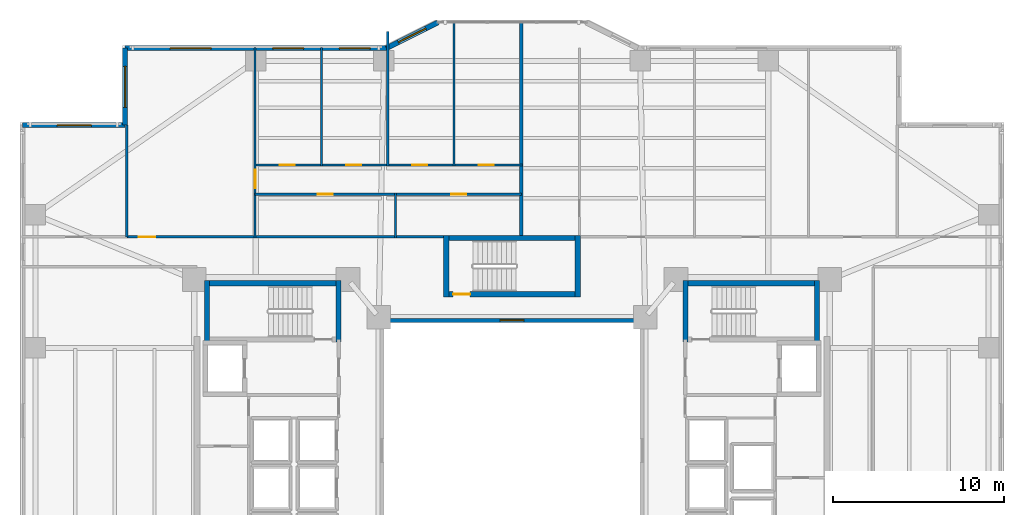
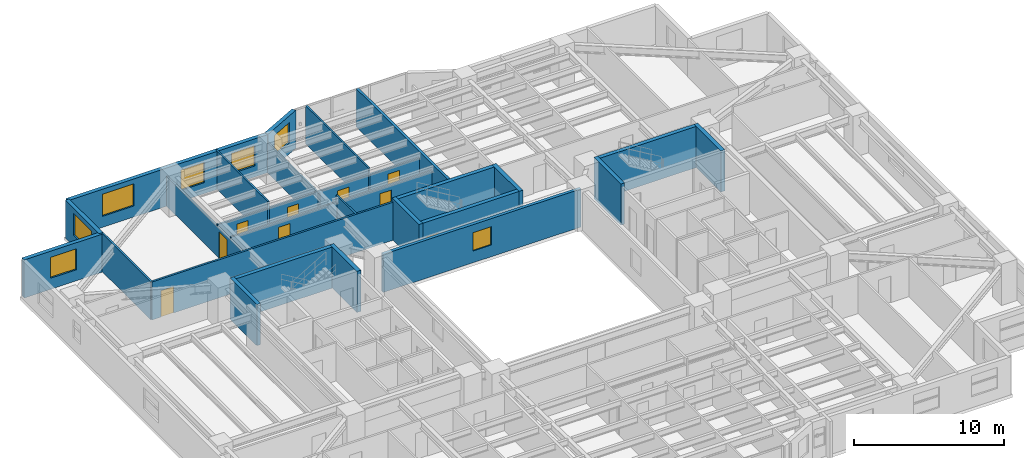
# One storey, part 13 of 19: 26 walls, 9 doors, 7 windows, 16 openings.
"""IFC4 building model written with IfcOpenShell, lengths in metres."""

import ifcopenshell
import ifcopenshell.guid

model = None  # the IFC model being written
_history = None  # IfcOwnerHistory: only IFC2X3 demands one
_inside = {}  # id of a spatial element -> (the spatial element, [elements in it])
_under = {}  # id of a project, library or spatial element -> (it, [spatial elements below it])
_declared = {}  # id of a project -> (the project, [libraries it declares])
_typed = {}  # id of a type object -> (the type object, [elements of that type])
_made_of = {}  # id of a material, layer set ... -> (it, [elements and type objects made of it])


def new_model(schema):
    """Start an empty IFC model of exactly this schema.

    Asked for "IFC4X3", IfcOpenShell would pick the latest addendum, in which some entities
    have other attributes; the version numbers below select the first issue.
    IFC2X3 requires an IfcOwnerHistory on every rooted entity: one is made here for all.
    """
    global model, _history
    if schema == "IFC4X3":
        model = ifcopenshell.file(schema_version=(4, 3, 0, 0))
    else:
        model = ifcopenshell.file(schema=schema)
    _inside.clear()
    _under.clear()
    _declared.clear()
    _typed.clear()
    _made_of.clear()
    _history = None
    if model.schema == "IFC2X3":
        org = make("IfcOrganization", Name="unknown")
        user = make(
            "IfcPersonAndOrganization",
            ThePerson=make("IfcPerson", FamilyName="unknown"),
            TheOrganization=org,
        )
        app = make(
            "IfcApplication",
            ApplicationDeveloper=org,
            Version="unknown",
            ApplicationFullName="unknown",
            ApplicationIdentifier="unknown",
        )
        _history = make(
            "IfcOwnerHistory",
            OwningUser=user,
            OwningApplication=app,
            ChangeAction="ADDED",
            CreationDate=0,
        )
    return model


def make(cls, **values):
    """One entity of the class cls with the attributes given. An attribute that is None is left unset."""
    return model.create_entity(
        cls, **{name: value for name, value in values.items() if value is not None}
    )


def rooted(cls, **values):
    """An entity with a GlobalId (a new one), such as an element, a storey or a relation."""
    return make(cls, GlobalId=ifcopenshell.guid.new(), OwnerHistory=_history, **values)


def si_unit(unit_type, name, prefix=None):
    """IfcSIUnit, for example si_unit("LENGTHUNIT", "METRE", prefix="MILLI")."""
    return make("IfcSIUnit", UnitType=unit_type, Prefix=prefix, Name=name)


def assignment(units):
    """IfcUnitAssignment: the units of a project."""
    return None if units is None else make("IfcUnitAssignment", Units=units)


def point(xyz):
    """IfcCartesianPoint."""
    return None if xyz is None else make("IfcCartesianPoint", Coordinates=xyz)


def direction(xyz):
    """IfcDirection."""
    return None if xyz is None else make("IfcDirection", DirectionRatios=xyz)


def frame(location, z_axis=None, x_axis=None):
    """IfcAxis2Placement3D, a coordinate frame: its origin and axes. An axis left out is left unset."""
    return make(
        "IfcAxis2Placement3D",
        Location=point(location),
        Axis=direction(z_axis),
        RefDirection=direction(x_axis),
    )


def frame_2d(location, x_axis=None):
    """IfcAxis2Placement2D, a coordinate frame in the plane: its origin and x axis."""
    return make(
        "IfcAxis2Placement2D", Location=point(location), RefDirection=direction(x_axis)
    )


def origin():
    """The frame at (0, 0, 0) with its axes left unset."""
    return frame((0.0, 0.0, 0.0))


def place(relative_to, where):
    """IfcLocalPlacement: puts the frame where relative to a parent placement (None: the world)."""
    return make(
        "IfcLocalPlacement", PlacementRelTo=relative_to, RelativePlacement=where
    )


def context(
    kind, dimensions, precision=None, world=None, true_north=None, identifier=None
):
    """IfcGeometricRepresentationContext, for example the 3D "Model" context."""
    return make(
        "IfcGeometricRepresentationContext",
        ContextIdentifier=identifier,
        ContextType=kind,
        CoordinateSpaceDimension=dimensions,
        Precision=precision,
        WorldCoordinateSystem=world,
        TrueNorth=true_north,
    )


def subcontext(parent, identifier, kind, view, scale=None):
    """IfcGeometricRepresentationSubContext, for example "Body" below "Model"."""
    return make(
        "IfcGeometricRepresentationSubContext",
        ContextIdentifier=identifier,
        ContextType=kind,
        ParentContext=parent,
        TargetScale=scale,
        TargetView=view,
    )


def project(units=None, contexts=None):
    """IfcProject with its units and contexts."""
    return rooted(
        "IfcProject",
        Name="project",
        RepresentationContexts=contexts,
        UnitsInContext=assignment(units),
    )


def spatial(cls, under=None, at=None, **own):
    """A site, building, storey or space (cls), placed at a placement, below another one or the project."""
    s = rooted(cls, ObjectPlacement=at, **own)
    if under is not None:
        _under.setdefault(under.id(), (under, []))[1].append(s)
    return s


def profile(cls, at=None, kind="AREA", **sizes):
    """A parametric profile (cls). Its sizes go by their IFC names, for example OverallWidth=200.0."""
    return make(cls, ProfileType=kind, Position=at, **sizes)


def rectangle(**sizes):
    """IfcRectangleProfileDef."""
    return profile("IfcRectangleProfileDef", **sizes)


def extrude(swept, where, along, depth):
    """IfcExtrudedAreaSolid: the profile swept, set in the frame where, extruded along a direction by depth."""
    return make(
        "IfcExtrudedAreaSolid",
        SweptArea=swept,
        Position=where,
        ExtrudedDirection=direction(along),
        Depth=depth,
    )


def shape(context_of_items, identifier, shape_type, items):
    """IfcShapeRepresentation: the items that make up one representation, for example the "Body"."""
    return make(
        "IfcShapeRepresentation",
        ContextOfItems=context_of_items,
        RepresentationIdentifier=identifier,
        RepresentationType=shape_type,
        Items=items,
    )


def material(Name=None, Category=None):
    """IfcMaterial."""
    return make("IfcMaterial", Name=Name, Category=Category)


def layer(
    of_material, thickness, ventilated=None, Name=None, Category=None, Priority=None
):
    """IfcMaterialLayer: one layer of a wall or slab, of a material (None: an air gap)."""
    return make(
        "IfcMaterialLayer",
        Material=of_material,
        LayerThickness=thickness,
        IsVentilated=ventilated,
        Name=Name,
        Category=Category,
        Priority=Priority,
    )


def layer_set(layers, Name=None):
    """IfcMaterialLayerSet."""
    return make("IfcMaterialLayerSet", MaterialLayers=layers, LayerSetName=Name)


def made_of(thing, what):
    """Note that an element or type object is made of a material, layer set ...; save() writes the relation."""
    if what is not None:
        _made_of.setdefault(what.id(), (what, []))[1].append(thing)
    return thing


def type_object(cls, material=None, **own):
    """A type object (cls), such as IfcWallType, which elements share."""
    return made_of(rooted(cls, **own), material)


def element(
    cls,
    number,
    at=None,
    inside=None,
    cuts=None,
    type_object=None,
    material=None,
    context=None,
    identifier="Body",
    shape_type=None,
    held_by="IfcProductDefinitionShape",
    body=None,
    shapes=None,
    **own,
):
    """One element of the class cls, such as IfcWall. Its Tag is "e" and its number.

    at: its placement. inside: the storey or other place that contains it. cuts: it is an
    opening in that element (IfcRelVoidsElement). A single representation is given by context,
    identifier, shape_type and body (its items); several are given by shapes. held_by: the class
    of the entity that holds the representations. save() writes the other relations.
    """
    e = rooted(cls, Tag="e%d" % number, ObjectPlacement=at, **own)
    if body is not None:
        shapes = [shape(context, identifier, shape_type, body)]
    if shapes is not None:
        e.Representation = make(held_by, Representations=shapes)
    if inside is not None:
        _inside.setdefault(inside.id(), (inside, []))[1].append(e)
    if cuts is not None:
        rooted(
            "IfcRelVoidsElement", RelatingBuildingElement=cuts, RelatedOpeningElement=e
        )
    if type_object is not None:
        _typed.setdefault(type_object.id(), (type_object, []))[1].append(e)
    return made_of(e, material)


def fill(opening, filler):
    """IfcRelFillsElement: the door or window that sits in an opening."""
    return rooted(
        "IfcRelFillsElement",
        RelatingOpeningElement=opening,
        RelatedBuildingElement=filler,
    )


def aggregate(whole, parts):
    """IfcRelAggregates: a whole, such as a stair, and the parts it consists of."""
    return rooted("IfcRelAggregates", RelatingObject=whole, RelatedObjects=parts)


def save(model, path):
    """Write the relations noted so far, then the file.

    IfcRelAggregates (storeys below a building ...), IfcRelContainedInSpatialStructure (elements
    in a storey), IfcRelDefinesByType, IfcRelAssociatesMaterial and IfcRelDeclares: one each for
    every whole, place, type object, material and project.
    """
    for whole, parts in _under.values():
        aggregate(whole, parts)
    for where, things in _inside.values():
        rooted(
            "IfcRelContainedInSpatialStructure",
            RelatedElements=things,
            RelatingStructure=where,
        )
    for kind, things in _typed.values():
        rooted("IfcRelDefinesByType", RelatedObjects=things, RelatingType=kind)
    for what, things in _made_of.values():
        rooted("IfcRelAssociatesMaterial", RelatedObjects=things, RelatingMaterial=what)
    for by, libraries in _declared.values():
        rooted("IfcRelDeclares", RelatingContext=by, RelatedDefinitions=libraries)
    model.write(path)


model = new_model("IFC4")

# Units and contexts
model_context = context("Model", 3, precision=1e-05, world=origin(), true_north=direction((0.0, 1.0)))
body_context = subcontext(model_context, "Body", "Model", "MODEL_VIEW")
ifc_project = project(units=[si_unit("LENGTHUNIT", "METRE"), si_unit("AREAUNIT", "SQUARE_METRE"), si_unit("VOLUMEUNIT", "CUBIC_METRE"), si_unit("PLANEANGLEUNIT", "RADIAN"), si_unit("MASSUNIT", "GRAM", prefix="KILO")], contexts=[model_context])

# Site, building, storey
site_placement = place(None, origin())
site = spatial("IfcSite", under=ifc_project, at=site_placement, CompositionType="ELEMENT")
building_placement = place(site_placement, origin())
building = spatial("IfcBuilding", under=site, at=building_placement, Name="Tarnavaz Court Tower", CompositionType="ELEMENT")
storey_placement = place(building_placement, frame((0.0, 0.0, 50.800048828125)))
storey = spatial("IfcBuildingStorey", under=building, at=storey_placement, Name="L13", CompositionType="ELEMENT", Elevation=50.800048828125)

# Walls
ifc_material_1 = material(Name="Concrete C60/75", Category="concrete")
ifc_layer_1 = layer(ifc_material_1, 0.300048828125)
ifc_layer_set_1 = layer_set([ifc_layer_1], Name="Concrete C60/75")
wall_type_1 = type_object("IfcWallType", Name="WL-CORE-300-C60", PredefinedType="SHEAR", material=ifc_layer_set_1)
wall_1_placement = place(storey_placement, frame((-18.0, 9.7900390625, 0.0), z_axis=(0.0, 0.0, 1.0), x_axis=(1.0, 0.0, 0.0)))
element("IfcWall", 1, at=wall_1_placement, inside=storey, type_object=wall_type_1, Name="L13 West Stair Core Wall 001", PredefinedType="SHEAR", context=body_context, shape_type="SweptSolid", body=[
    extrude(rectangle(XDim=8.0, YDim=0.300048828125, at=frame_2d((4.0, 0.0))), origin(), (0.0, 0.0, 1.0), 3.349853515625),
])
for number, where, z_axis, x_axis, name in (
    (2, (-17.85009765625, 6.35009765625, 0.0), (0.0, 0.0, 1.0), (0.0, 1.0, 0.0), "L13 West Stair Core Wall 003"),
    (3, (-10.14990234375, 6.35009765625, 0.0), (0.0, 0.0, 1.0), (0.0, 1.0, 0.0), "L13 West Stair Core Wall 004"),
):
    element("IfcWall", number, at=place(storey_placement, frame(where, z_axis=z_axis, x_axis=x_axis)), inside=storey, type_object=wall_type_1, Name=name, PredefinedType="SHEAR", context=body_context, shape_type="SweptSolid", body=[
        extrude(rectangle(XDim=3.58984375, YDim=0.300048828125, at=frame_2d((1.794921875, 0.0))), origin(), (0.0, 0.0, 1.0), 3.349853515625),
    ])
wall_2_placement = place(storey_placement, frame((10.0, 9.7900390625, 0.0), z_axis=(0.0, 0.0, 1.0), x_axis=(1.0, 0.0, 0.0)))
element("IfcWall", 4, at=wall_2_placement, inside=storey, type_object=wall_type_1, Name="L13 East Stair Core Wall 005", PredefinedType="SHEAR", context=body_context, shape_type="SweptSolid", body=[
    extrude(rectangle(XDim=8.0, YDim=0.300048828125, at=frame_2d((4.0, 0.0))), origin(), (0.0, 0.0, 1.0), 3.349853515625),
])
for number, where, z_axis, x_axis, name in (
    (5, (10.14990234375, 6.35009765625, 0.0), (0.0, 0.0, 1.0), (0.0, 1.0, 0.0), "L13 East Stair Core Wall 007"),
    (6, (17.85009765625, 6.35009765625, 0.0), (0.0, 0.0, 1.0), (0.0, 1.0, 0.0), "L13 East Stair Core Wall 008"),
):
    element("IfcWall", number, at=place(storey_placement, frame(where, z_axis=z_axis, x_axis=x_axis)), inside=storey, type_object=wall_type_1, Name=name, PredefinedType="SHEAR", context=body_context, shape_type="SweptSolid", body=[
        extrude(rectangle(XDim=3.58984375, YDim=0.300048828125, at=frame_2d((1.794921875, 0.0))), origin(), (0.0, 0.0, 1.0), 3.349853515625),
    ])
wall_3_placement = place(storey_placement, frame((-4.0, 12.43994140625, 0.0), z_axis=(0.0, 0.0, 1.0), x_axis=(1.0, 0.0, 0.0)))
element("IfcWall", 7, at=wall_3_placement, inside=storey, type_object=wall_type_1, Name="L13 North Stair Core Wall 009", PredefinedType="SHEAR", context=body_context, shape_type="SweptSolid", body=[
    extrude(rectangle(XDim=8.0, YDim=0.300048828125, at=frame_2d((4.0, 0.0))), origin(), (0.0, 0.0, 1.0), 3.349853515625),
])

# Wall, opening, door
wall_4_placement = place(storey_placement, frame((-4.0, 9.14990234375, 0.0), z_axis=(0.0, 0.0, 1.0), x_axis=(1.0, 0.0, 0.0)))
wall_4 = element("IfcWall", 8, at=wall_4_placement, inside=storey, type_object=wall_type_1, Name="L13 North Stair Core Wall 010", PredefinedType="SHEAR", context=body_context, shape_type="SweptSolid", body=[
    extrude(rectangle(XDim=8.0, YDim=0.300048828125, at=frame_2d((4.0, 0.0))), origin(), (0.0, 0.0, 1.0), 3.349853515625),
])
opening_1_placement = place(wall_4_placement, frame((0.550048828125, 0.0, 0.0)))
opening_1 = element("IfcOpeningElement", 9, at=opening_1_placement, cuts=wall_4, Name="Opening D01", PredefinedType="OPENING", context=body_context, shape_type="SweptSolid", body=[
    extrude(rectangle(XDim=1.0, YDim=2.14990234375, at=frame_2d((0.5, 1.074951171875))), frame((0.0, 0.159912109375, 0.0), z_axis=(0.0, -1.0, 0.0), x_axis=(1.0, 0.0, 0.0)), (0.0, 0.0, 1.0), 0.320068359375),
])
ifc_material_2 = material(Name="Fire-Rated Hardwood Timber Core", Category="wood")
door_type_1 = type_object("IfcDoorType", Name="DR-FD90-1000", OperationType="NOTDEFINED", PredefinedType="DOOR", material=ifc_material_2)
door_1_placement = place(opening_1_placement, origin())
door_1 = element("IfcDoor", 10, at=door_1_placement, inside=storey, type_object=door_type_1, Name="L13 Stair ST-N1 Exit Door", OperationType="SINGLE_SWING_LEFT", OverallHeight=2.14990234375, OverallWidth=1.0, PredefinedType="DOOR", context=body_context, shape_type="SweptSolid", body=[
    extrude(rectangle(XDim=1.0, YDim=2.14990234375, at=frame_2d((0.5, 1.074951171875))), frame((0.0, 0.02490234375, 0.0), z_axis=(0.0, -1.0, 0.0), x_axis=(1.0, 0.0, 0.0)), (0.0, 0.0, 1.0), 0.050048828125),
])
fill(opening_1, door_1)

# Walls
for number, where, z_axis, x_axis, name in (
    (11, (-3.85009765625, 9.0, 0.0), (0.0, 0.0, 1.0), (0.0, 1.0, 0.0), "L13 North Stair Core Wall 011"),
    (12, (3.85009765625, 9.0, 0.0), (0.0, 0.0, 1.0), (0.0, 1.0, 0.0), "L13 North Stair Core Wall 012"),
):
    element("IfcWall", number, at=place(storey_placement, frame(where, z_axis=z_axis, x_axis=x_axis)), inside=storey, type_object=wall_type_1, Name=name, PredefinedType="SHEAR", context=body_context, shape_type="SweptSolid", body=[
        extrude(rectangle(XDim=3.590087890625, YDim=0.300048828125, at=frame_2d((1.794921875, 0.0))), origin(), (0.0, 0.0, 1.0), 3.349853515625),
    ])

# Wall, opening, window
ifc_material_3 = material(Name="Precast Concrete C40/50", Category="concrete")
ifc_layer_2 = layer(ifc_material_3, 0.300048828125)
ifc_layer_set_2 = layer_set([ifc_layer_2], Name="Precast Concrete C40/50")
wall_type_2 = type_object("IfcWallType", Name="WL-EXT-300", PredefinedType="SOLIDWALL", material=ifc_layer_set_2)
wall_5_placement = place(storey_placement, frame((-28.64990234375, 19.050048828125, 0.0), z_axis=(0.0, 0.0, 1.0), x_axis=(1.0, 0.0, 0.0)))
wall_5 = element("IfcWall", 13, at=wall_5_placement, inside=storey, type_object=wall_type_2, Name="L13 Exterior Terracotta Facade Wall 03", PredefinedType="SOLIDWALL", context=body_context, shape_type="SweptSolid", body=[
    extrude(rectangle(XDim=6.0, YDim=0.300048828125, at=frame_2d((3.0, 0.0))), origin(), (0.0, 0.0, 1.0), 3.099853515625),
])
opening_2_placement = place(wall_5_placement, frame((2.02490234375, 0.0, 0.89990234375)))
opening_2 = element("IfcOpeningElement", 14, at=opening_2_placement, cuts=wall_5, Name="Opening W08", PredefinedType="OPENING", context=body_context, shape_type="SweptSolid", body=[
    extrude(rectangle(XDim=2.0, YDim=1.699951171875, at=frame_2d((1.0, 0.85009765625))), frame((0.0, 0.159912109375, 0.0), z_axis=(0.0, -1.0, 0.0), x_axis=(1.0, 0.0, 0.0)), (0.0, 0.0, 1.0), 0.320068359375),
])
ifc_material_4 = material(Name="Double-Glazed Solar Low-E Glass", Category="glass")
window_type_1 = type_object("IfcWindowType", Name="WN-APT-2000", PartitioningType="DOUBLE_PANEL_VERTICAL", PredefinedType="WINDOW", material=ifc_material_4)
window_1_placement = place(opening_2_placement, origin())
window_1 = element("IfcWindow", 15, at=window_1_placement, inside=storey, type_object=window_type_1, Name="L13 North-West Corner Sunroom Study Window", OverallHeight=1.699951171875, OverallWidth=2.0, PartitioningType="SINGLE_PANEL", PredefinedType="WINDOW", context=body_context, shape_type="SweptSolid", body=[
    extrude(rectangle(XDim=2.0, YDim=1.699951171875, at=frame_2d((1.0, 0.85009765625))), frame((0.0, 0.030029296875, 0.0), z_axis=(0.0, -1.0, 0.0), x_axis=(1.0, 0.0, 0.0)), (0.0, 0.0, 1.0), 0.06005859375),
])
fill(opening_2, window_1)

wall_6_placement = place(storey_placement, frame((-22.64990234375, 19.050048828125, 0.0), z_axis=(0.0, 0.0, 1.0), x_axis=(0.0, 1.0, 0.0)))
wall_6 = element("IfcWall", 16, at=wall_6_placement, inside=storey, type_object=wall_type_2, Name="L13 Exterior Terracotta Facade Wall 04", PredefinedType="SOLIDWALL", context=body_context, shape_type="SweptSolid", body=[
    extrude(rectangle(XDim=4.5, YDim=0.300048828125, at=frame_2d((2.25, 0.0))), origin(), (0.0, 0.0, 1.0), 3.099853515625),
])
opening_3_placement = place(wall_6_placement, frame((1.032470703125, 0.0, 0.89990234375)))
opening_3 = element("IfcOpeningElement", 17, at=opening_3_placement, cuts=wall_6, Name="Opening W06", PredefinedType="OPENING", context=body_context, shape_type="SweptSolid", body=[
    extrude(rectangle(XDim=2.39990234375, YDim=1.800048828125, at=frame_2d((1.199951171875, 0.89990234375))), frame((0.0, 0.159912109375, 0.0), z_axis=(0.0, -1.0, 0.0), x_axis=(1.0, 0.0, 0.0)), (0.0, 0.0, 1.0), 0.320068359375),
])
window_type_2 = type_object("IfcWindowType", Name="WN-APT-2400", PartitioningType="TRIPLE_PANEL_VERTICAL", PredefinedType="WINDOW", material=ifc_material_4)
window_2_placement = place(opening_3_placement, origin())
window_2 = element("IfcWindow", 18, at=window_2_placement, inside=storey, type_object=window_type_2, Name="L13 Flat 01 Living and Dining Room Window", OverallHeight=1.800048828125, OverallWidth=2.39990234375, PartitioningType="SINGLE_PANEL", PredefinedType="WINDOW", context=body_context, shape_type="SweptSolid", body=[
    extrude(rectangle(XDim=2.39990234375, YDim=1.800048828125, at=frame_2d((1.199951171875, 0.89990234375))), frame((0.0, 0.030029296875, 0.0), z_axis=(0.0, -1.0, 0.0), x_axis=(1.0, 0.0, 0.0)), (0.0, 0.0, 1.0), 0.06005859375),
])
fill(opening_3, window_2)

# Wall, openings, windows
wall_7_placement = place(storey_placement, frame((-22.64990234375, 23.550048828125, 0.0), z_axis=(0.0, 0.0, 1.0), x_axis=(1.0, 0.0, 0.0)))
wall_7 = element("IfcWall", 19, at=wall_7_placement, inside=storey, type_object=wall_type_2, Name="L13 Exterior Terracotta Facade Wall 05", PredefinedType="SOLIDWALL", context=body_context, shape_type="SweptSolid", body=[
    extrude(rectangle(XDim=15.2998046875, YDim=0.300048828125, at=frame_2d((7.64990234375, 0.0))), origin(), (0.0, 0.0, 1.0), 3.099853515625),
])
opening_4_placement = place(wall_7_placement, frame((2.637451171875, 0.0, 0.89990234375)))
opening_4 = element("IfcOpeningElement", 20, at=opening_4_placement, cuts=wall_7, Name="Opening W06", PredefinedType="OPENING", context=body_context, shape_type="SweptSolid", body=[
    extrude(rectangle(XDim=2.39990234375, YDim=1.800048828125, at=frame_2d((1.199951171875, 0.89990234375))), frame((0.0, 0.159912109375, 0.0), z_axis=(0.0, -1.0, 0.0), x_axis=(1.0, 0.0, 0.0)), (0.0, 0.0, 1.0), 0.320068359375),
])
opening_5_placement = place(wall_7_placement, frame((8.65625, 0.0, 0.89990234375)))
opening_5 = element("IfcOpeningElement", 21, at=opening_5_placement, cuts=wall_7, Name="Opening W01", PredefinedType="OPENING", context=body_context, shape_type="SweptSolid", body=[
    extrude(rectangle(XDim=1.800048828125, YDim=1.64990234375, at=frame_2d((0.89990234375, 0.824951171875))), frame((0.0, 0.159912109375, 0.0), z_axis=(0.0, -1.0, 0.0), x_axis=(1.0, 0.0, 0.0)), (0.0, 0.0, 1.0), 0.320068359375),
])
opening_6_placement = place(wall_7_placement, frame((12.5439453125, 0.0, 0.89990234375)))
opening_6 = element("IfcOpeningElement", 22, at=opening_6_placement, cuts=wall_7, Name="Opening W01", PredefinedType="OPENING", context=body_context, shape_type="SweptSolid", body=[
    extrude(rectangle(XDim=1.800048828125, YDim=1.64990234375, at=frame_2d((0.89990234375, 0.824951171875))), frame((0.0, 0.159912109375, 0.0), z_axis=(0.0, -1.0, 0.0), x_axis=(1.0, 0.0, 0.0)), (0.0, 0.0, 1.0), 0.320068359375),
])
window_type_3 = type_object("IfcWindowType", Name="WN-APT-1800", PartitioningType="DOUBLE_PANEL_VERTICAL", PredefinedType="WINDOW", material=ifc_material_4)
window_3_placement = place(opening_5_placement, origin())
window_3 = element("IfcWindow", 23, at=window_3_placement, inside=storey, type_object=window_type_3, Name="L13 Flat 01 Principal Bedroom Window", OverallHeight=1.64990234375, OverallWidth=1.800048828125, PartitioningType="SINGLE_PANEL", PredefinedType="WINDOW", context=body_context, shape_type="SweptSolid", body=[
    extrude(rectangle(XDim=1.800048828125, YDim=1.64990234375, at=frame_2d((0.89990234375, 0.824951171875))), frame((0.0, 0.030029296875, 0.0), z_axis=(0.0, -1.0, 0.0), x_axis=(1.0, 0.0, 0.0)), (0.0, 0.0, 1.0), 0.06005859375),
])
fill(opening_5, window_3)
window_4_placement = place(opening_6_placement, origin())
window_4 = element("IfcWindow", 24, at=window_4_placement, inside=storey, type_object=window_type_3, Name="L13 Flat 01 Bedroom 2 Window", OverallHeight=1.64990234375, OverallWidth=1.800048828125, PartitioningType="SINGLE_PANEL", PredefinedType="WINDOW", context=body_context, shape_type="SweptSolid", body=[
    extrude(rectangle(XDim=1.800048828125, YDim=1.64990234375, at=frame_2d((0.89990234375, 0.824951171875))), frame((0.0, 0.030029296875, 0.0), z_axis=(0.0, -1.0, 0.0), x_axis=(1.0, 0.0, 0.0)), (0.0, 0.0, 1.0), 0.06005859375),
])
fill(opening_6, window_4)
window_5_placement = place(opening_4_placement, origin())
window_5 = element("IfcWindow", 25, at=window_5_placement, inside=storey, type_object=window_type_2, Name="L13 Flat 01 Living and Dining Room Window", OverallHeight=1.800048828125, OverallWidth=2.39990234375, PartitioningType="SINGLE_PANEL", PredefinedType="WINDOW", context=body_context, shape_type="SweptSolid", body=[
    extrude(rectangle(XDim=2.39990234375, YDim=1.800048828125, at=frame_2d((1.199951171875, 0.89990234375))), frame((0.0, 0.030029296875, 0.0), z_axis=(0.0, -1.0, 0.0), x_axis=(1.0, 0.0, 0.0)), (0.0, 0.0, 1.0), 0.06005859375),
])
fill(opening_4, window_5)

# Wall, opening, window
wall_8_placement = place(storey_placement, frame((-7.35009765625, 23.550048828125, 0.0), z_axis=(0.0, 0.0, 1.0), x_axis=(0.894427191, 0.4472135955, 0.0)))
wall_8 = element("IfcWall", 26, at=wall_8_placement, inside=storey, type_object=wall_type_2, Name="L13 Exterior Terracotta Facade Wall 06", PredefinedType="SOLIDWALL", context=body_context, shape_type="SweptSolid", body=[
    extrude(rectangle(XDim=3.35400390625, YDim=0.300048828125, at=frame_2d((1.677001953125, 0.0))), origin(), (0.0, 0.0, 1.0), 3.099853515625),
])
opening_7_placement = place(wall_8_placement, frame((0.777099609375, 0.0, 0.89990234375)))
opening_7 = element("IfcOpeningElement", 27, at=opening_7_placement, cuts=wall_8, Name="Opening W01", PredefinedType="OPENING", context=body_context, shape_type="SweptSolid", body=[
    extrude(rectangle(XDim=1.800048828125, YDim=1.64990234375, at=frame_2d((0.89990234375, 0.824951171875))), frame((0.0, 0.159912109375, 0.0), z_axis=(0.0, -1.0, 0.0), x_axis=(1.0, 0.0, 0.0)), (0.0, 0.0, 1.0), 0.320068359375),
])
window_6_placement = place(opening_7_placement, origin())
window_6 = element("IfcWindow", 28, at=window_6_placement, inside=storey, type_object=window_type_3, Name="L13 Flat 01 Bedroom 3 Window", OverallHeight=1.64990234375, OverallWidth=1.800048828125, PartitioningType="SINGLE_PANEL", PredefinedType="WINDOW", context=body_context, shape_type="SweptSolid", body=[
    extrude(rectangle(XDim=1.800048828125, YDim=1.64990234375, at=frame_2d((0.89990234375, 0.824951171875))), frame((0.0, 0.030029296875, 0.0), z_axis=(0.0, -1.0, 0.0), x_axis=(1.0, 0.0, 0.0)), (0.0, 0.0, 1.0), 0.06005859375),
])
fill(opening_7, window_6)

# Wall, opening, door
ifc_material_5 = material(Name="Gypsum Fire-Board on Acoustic Metal Stud", Category="masonry")
ifc_layer_3 = layer(ifc_material_5, 0.14990234375)
ifc_layer_set_3 = layer_set([ifc_layer_3], Name="Gypsum Fire-Board on Acoustic Metal Stud")
wall_type_3 = type_object("IfcWallType", Name="WL-FIRE-150", PredefinedType="PARTITIONING", material=ifc_layer_set_3)
wall_9_placement = place(storey_placement, frame((-22.550048828125, 12.5, 0.0), z_axis=(0.0, 0.0, 1.0), x_axis=(1.0, 0.0, 0.0)))
wall_9 = element("IfcWall", 29, at=wall_9_placement, inside=storey, type_object=wall_type_3, Name="L13 NW Wing Corridor Wall 081", PredefinedType="PARTITIONING", context=body_context, shape_type="SweptSolid", body=[
    extrude(rectangle(XDim=18.699951171875, YDim=0.14990234375, at=frame_2d((9.35009765625, 0.0))), origin(), (0.0, 0.0, 1.0), 3.099853515625),
])
opening_8_placement = place(wall_9_placement, frame((0.699951171875, 0.0, 0.0)))
opening_8 = element("IfcOpeningElement", 30, at=opening_8_placement, cuts=wall_9, Name="Opening D06", PredefinedType="OPENING", context=body_context, shape_type="SweptSolid", body=[
    extrude(rectangle(XDim=0.9599609375, YDim=2.14990234375, at=frame_2d((0.47998046875, 1.074951171875))), frame((0.0, 0.0849609375, 0.0), z_axis=(0.0, -1.0, 0.0), x_axis=(1.0, 0.0, 0.0)), (0.0, 0.0, 1.0), 0.169921875),
])
door_type_2 = type_object("IfcDoorType", Name="DR-FD60-950", OperationType="NOTDEFINED", PredefinedType="DOOR", material=ifc_material_2)
door_2_placement = place(opening_8_placement, origin())
door_2 = element("IfcDoor", 31, at=door_2_placement, inside=storey, type_object=door_type_2, Name="L13 Flat 01 Entrance Door", OperationType="SINGLE_SWING_LEFT", OverallHeight=2.14990234375, OverallWidth=0.9599609375, PredefinedType="DOOR", context=body_context, shape_type="SweptSolid", body=[
    extrude(rectangle(XDim=0.9599609375, YDim=2.14990234375, at=frame_2d((0.47998046875, 1.074951171875))), frame((0.0, 0.02490234375, 0.0), z_axis=(0.0, -1.0, 0.0), x_axis=(1.0, 0.0, 0.0)), (0.0, 0.0, 1.0), 0.050048828125),
])
fill(opening_8, door_2)

# Wall
ifc_material_6 = material(Name="Autoclaved Aerated Concrete Blockwork", Category="masonry")
ifc_layer_4 = layer(ifc_material_6, 0.199951171875)
ifc_layer_set_4 = layer_set([ifc_layer_4], Name="Autoclaved Aerated Concrete Blockwork")
wall_type_4 = type_object("IfcWallType", Name="WL-FIRE-200", PredefinedType="SOLIDWALL", material=ifc_layer_set_4)
wall_10_placement = place(storey_placement, frame((0.550048828125, 12.5, 0.0), z_axis=(0.0, 0.0, 1.0), x_axis=(0.0, 1.0, 0.0)))
element("IfcWall", 32, at=wall_10_placement, inside=storey, type_object=wall_type_4, Name="L13 North Center Party Wall 087", PredefinedType="SOLIDWALL", context=body_context, shape_type="SweptSolid", body=[
    extrude(rectangle(XDim=12.580078125, YDim=0.199951171875, at=frame_2d((6.2900390625, 0.0))), origin(), (0.0, 0.0, 1.0), 3.099853515625),
])

# Wall, opening, door
ifc_material_7 = material(Name="Moisture-Resistant Gypsum Board Partition", Category="masonry")
ifc_layer_5 = layer(ifc_material_7, 0.1201171875)
ifc_layer_set_5 = layer_set([ifc_layer_5], Name="Moisture-Resistant Gypsum Board Partition")
wall_type_5 = type_object("IfcWallType", Name="WL-PART-120", PredefinedType="PARTITIONING", material=ifc_layer_set_5)
wall_11_placement = place(storey_placement, frame((-15.034912109375, 12.43994140625, 0.0), z_axis=(0.0, 0.0, 1.0), x_axis=(0.0, 1.0, 0.0)))
wall_11 = element("IfcWall", 33, at=wall_11_placement, inside=storey, type_object=wall_type_5, Name="L13 Interior Partition 088", PredefinedType="PARTITIONING", context=body_context, shape_type="SweptSolid", body=[
    extrude(rectangle(XDim=11.16015625, YDim=0.1201171875, at=frame_2d((5.580078125, 0.0))), origin(), (0.0, 0.0, 1.0), 2.43505859375),
])
opening_9_placement = place(wall_11_placement, frame((2.905029296875, 0.0, 0.0)))
opening_9 = element("IfcOpeningElement", 34, at=opening_9_placement, cuts=wall_11, Name="Opening D12", PredefinedType="OPENING", context=body_context, shape_type="SweptSolid", body=[
    extrude(rectangle(XDim=1.080078125, YDim=2.14990234375, at=frame_2d((0.5400390625, 1.074951171875))), frame((0.0, 0.070068359375, 0.0), z_axis=(0.0, -1.0, 0.0), x_axis=(1.0, 0.0, 0.0)), (0.0, 0.0, 1.0), 0.14013671875),
])
ifc_material_8 = material(Name="Engineered Oak Timber", Category="wood")
door_type_3 = type_object("IfcDoorType", Name="DR-INT-1100", OperationType="NOTDEFINED", PredefinedType="DOOR", material=ifc_material_8)
door_3_placement = place(opening_9_placement, origin())
door_3 = element("IfcDoor", 35, at=door_3_placement, inside=storey, type_object=door_type_3, Name="L13 Flat 01 Foyer Door", OperationType="SINGLE_SWING_RIGHT", OverallHeight=2.14990234375, OverallWidth=1.080078125, PredefinedType="DOOR", context=body_context, shape_type="SweptSolid", body=[
    extrude(rectangle(XDim=1.080078125, YDim=2.14990234375, at=frame_2d((0.5400390625, 1.074951171875))), frame((0.0, 0.02490234375, 0.0), z_axis=(0.0, -1.0, 0.0), x_axis=(1.0, 0.0, 0.0)), (0.0, 0.0, 1.0), 0.050048828125),
])
fill(opening_9, door_3)

wall_12_placement = place(storey_placement, frame((-15.034912109375, 15.0, 0.0), z_axis=(0.0, 0.0, 1.0), x_axis=(1.0, 0.0, 0.0)))
wall_12 = element("IfcWall", 36, at=wall_12_placement, inside=storey, type_object=wall_type_5, Name="L13 Interior Partition 089", PredefinedType="PARTITIONING", context=body_context, shape_type="SweptSolid", body=[
    extrude(rectangle(XDim=8.22802734375, YDim=0.1201171875, at=frame_2d((4.114013671875, 0.0))), origin(), (0.0, 0.0, 1.0), 2.5849609375),
])
opening_10_placement = place(wall_12_placement, frame((3.674072265625, 0.0, 0.0)))
opening_10 = element("IfcOpeningElement", 37, at=opening_10_placement, cuts=wall_12, Name="Opening D14", PredefinedType="OPENING", context=body_context, shape_type="SweptSolid", body=[
    extrude(rectangle(XDim=0.8798828125, YDim=2.10009765625, at=frame_2d((0.43994140625, 1.050048828125))), frame((0.0, 0.070068359375, 0.0), z_axis=(0.0, -1.0, 0.0), x_axis=(1.0, 0.0, 0.0)), (0.0, 0.0, 1.0), 0.14013671875),
])
door_type_4 = type_object("IfcDoorType", Name="DR-INT-900", OperationType="NOTDEFINED", PredefinedType="DOOR", material=ifc_material_8)
door_4_placement = place(opening_10_placement, origin())
door_4 = element("IfcDoor", 38, at=door_4_placement, inside=storey, type_object=door_type_4, Name="L13 Flat 01 Kitchen Door", OperationType="SINGLE_SWING_LEFT", OverallHeight=2.10009765625, OverallWidth=0.8798828125, PredefinedType="DOOR", context=body_context, shape_type="SweptSolid", body=[
    extrude(rectangle(XDim=0.8798828125, YDim=2.10009765625, at=frame_2d((0.43994140625, 1.050048828125))), frame((0.0, 0.02490234375, 0.0), z_axis=(0.0, -1.0, 0.0), x_axis=(1.0, 0.0, 0.0)), (0.0, 0.0, 1.0), 0.050048828125),
])
fill(opening_10, door_4)

wall_13_placement = place(storey_placement, frame((-6.806884765625, 15.0, 0.0), z_axis=(0.0, 0.0, 1.0), x_axis=(1.0, 0.0, 0.0)))
wall_13 = element("IfcWall", 39, at=wall_13_placement, inside=storey, type_object=wall_type_5, Name="L13 Interior Partition 090", PredefinedType="PARTITIONING", context=body_context, shape_type="SweptSolid", body=[
    extrude(rectangle(XDim=7.35693359375, YDim=0.1201171875, at=frame_2d((3.678466796875, 0.0))), origin(), (0.0, 0.0, 1.0), 2.5849609375),
])
opening_11_placement = place(wall_13_placement, frame((3.239013671875, 0.0, 0.0)))
opening_11 = element("IfcOpeningElement", 40, at=opening_11_placement, cuts=wall_13, Name="Opening D14", PredefinedType="OPENING", context=body_context, shape_type="SweptSolid", body=[
    extrude(rectangle(XDim=0.8798828125, YDim=2.10009765625, at=frame_2d((0.43994140625, 1.050048828125))), frame((0.0, 0.070068359375, 0.0), z_axis=(0.0, -1.0, 0.0), x_axis=(1.0, 0.0, 0.0)), (0.0, 0.0, 1.0), 0.14013671875),
])
door_5_placement = place(opening_11_placement, origin())
door_5 = element("IfcDoor", 41, at=door_5_placement, inside=storey, type_object=door_type_4, Name="L13 Flat 01 Bathroom Door", OperationType="SINGLE_SWING_RIGHT", OverallHeight=2.10009765625, OverallWidth=0.8798828125, PredefinedType="DOOR", context=body_context, shape_type="SweptSolid", body=[
    extrude(rectangle(XDim=0.8798828125, YDim=2.10009765625, at=frame_2d((0.43994140625, 1.050048828125))), frame((0.0, 0.02490234375, 0.0), z_axis=(0.0, -1.0, 0.0), x_axis=(1.0, 0.0, 0.0)), (0.0, 0.0, 1.0), 0.050048828125),
])
fill(opening_11, door_5)

# Wall, openings, doors
wall_14_placement = place(storey_placement, frame((-15.094970703125, 16.7099609375, 0.0), z_axis=(0.0, 0.0, 1.0), x_axis=(1.0, 0.0, 0.0)))
wall_14 = element("IfcWall", 42, at=wall_14_placement, inside=storey, type_object=wall_type_5, Name="L13 Interior Partition 091", PredefinedType="PARTITIONING", context=body_context, shape_type="SweptSolid", body=[
    extrude(rectangle(XDim=15.705078125, YDim=0.1201171875, at=frame_2d((7.8525390625, 0.0))), origin(), (0.0, 0.0, 1.0), 2.5849609375),
])
opening_12_placement = place(wall_14_placement, frame((1.5009765625, 0.0, 0.0)))
opening_12 = element("IfcOpeningElement", 43, at=opening_12_placement, cuts=wall_14, Name="Opening D14", PredefinedType="OPENING", context=body_context, shape_type="SweptSolid", body=[
    extrude(rectangle(XDim=0.8798828125, YDim=2.10009765625, at=frame_2d((0.43994140625, 1.050048828125))), frame((0.0, 0.070068359375, 0.0), z_axis=(0.0, -1.0, 0.0), x_axis=(1.0, 0.0, 0.0)), (0.0, 0.0, 1.0), 0.14013671875),
])
opening_13_placement = place(wall_14_placement, frame((5.382080078125, 0.0, 0.0)))
opening_13 = element("IfcOpeningElement", 44, at=opening_13_placement, cuts=wall_14, Name="Opening D14", PredefinedType="OPENING", context=body_context, shape_type="SweptSolid", body=[
    extrude(rectangle(XDim=0.8798828125, YDim=2.10009765625, at=frame_2d((0.43994140625, 1.050048828125))), frame((0.0, 0.070068359375, 0.0), z_axis=(0.0, -1.0, 0.0), x_axis=(1.0, 0.0, 0.0)), (0.0, 0.0, 1.0), 0.14013671875),
])
opening_14_placement = place(wall_14_placement, frame((9.262939453125, 0.0, 0.0)))
opening_14 = element("IfcOpeningElement", 45, at=opening_14_placement, cuts=wall_14, Name="Opening D14", PredefinedType="OPENING", context=body_context, shape_type="SweptSolid", body=[
    extrude(rectangle(XDim=0.8798828125, YDim=2.10009765625, at=frame_2d((0.43994140625, 1.050048828125))), frame((0.0, 0.070068359375, 0.0), z_axis=(0.0, -1.0, 0.0), x_axis=(1.0, 0.0, 0.0)), (0.0, 0.0, 1.0), 0.14013671875),
])
opening_15_placement = place(wall_14_placement, frame((13.14404296875, 0.0, 0.0)))
opening_15 = element("IfcOpeningElement", 46, at=opening_15_placement, cuts=wall_14, Name="Opening D14", PredefinedType="OPENING", context=body_context, shape_type="SweptSolid", body=[
    extrude(rectangle(XDim=0.8798828125, YDim=2.10009765625, at=frame_2d((0.43994140625, 1.050048828125))), frame((0.0, 0.070068359375, 0.0), z_axis=(0.0, -1.0, 0.0), x_axis=(1.0, 0.0, 0.0)), (0.0, 0.0, 1.0), 0.14013671875),
])
door_6_placement = place(opening_12_placement, origin())
door_6 = element("IfcDoor", 47, at=door_6_placement, inside=storey, type_object=door_type_4, Name="L13 Flat 01 Bedroom 1 Door", OperationType="SINGLE_SWING_LEFT", OverallHeight=2.10009765625, OverallWidth=0.8798828125, PredefinedType="DOOR", context=body_context, shape_type="SweptSolid", body=[
    extrude(rectangle(XDim=0.8798828125, YDim=2.10009765625, at=frame_2d((0.43994140625, 1.050048828125))), frame((0.0, 0.02490234375, 0.0), z_axis=(0.0, -1.0, 0.0), x_axis=(1.0, 0.0, 0.0)), (0.0, 0.0, 1.0), 0.050048828125),
])
fill(opening_12, door_6)
door_7_placement = place(opening_13_placement, origin())
door_7 = element("IfcDoor", 48, at=door_7_placement, inside=storey, type_object=door_type_4, Name="L13 Flat 01 Bedroom 2 Door", OperationType="SINGLE_SWING_RIGHT", OverallHeight=2.10009765625, OverallWidth=0.8798828125, PredefinedType="DOOR", context=body_context, shape_type="SweptSolid", body=[
    extrude(rectangle(XDim=0.8798828125, YDim=2.10009765625, at=frame_2d((0.43994140625, 1.050048828125))), frame((0.0, 0.02490234375, 0.0), z_axis=(0.0, -1.0, 0.0), x_axis=(1.0, 0.0, 0.0)), (0.0, 0.0, 1.0), 0.050048828125),
])
fill(opening_13, door_7)
door_8_placement = place(opening_14_placement, origin())
door_8 = element("IfcDoor", 49, at=door_8_placement, inside=storey, type_object=door_type_4, Name="L13 Flat 01 Bedroom 3 Door", OperationType="SINGLE_SWING_LEFT", OverallHeight=2.10009765625, OverallWidth=0.8798828125, PredefinedType="DOOR", context=body_context, shape_type="SweptSolid", body=[
    extrude(rectangle(XDim=0.8798828125, YDim=2.10009765625, at=frame_2d((0.43994140625, 1.050048828125))), frame((0.0, 0.02490234375, 0.0), z_axis=(0.0, -1.0, 0.0), x_axis=(1.0, 0.0, 0.0)), (0.0, 0.0, 1.0), 0.050048828125),
])
fill(opening_14, door_8)
door_9_placement = place(opening_15_placement, origin())
door_9 = element("IfcDoor", 50, at=door_9_placement, inside=storey, type_object=door_type_4, Name="L13 Flat 01 Bedroom 4 Door", OperationType="SINGLE_SWING_RIGHT", OverallHeight=2.10009765625, OverallWidth=0.8798828125, PredefinedType="DOOR", context=body_context, shape_type="SweptSolid", body=[
    extrude(rectangle(XDim=0.8798828125, YDim=2.10009765625, at=frame_2d((0.43994140625, 1.050048828125))), frame((0.0, 0.02490234375, 0.0), z_axis=(0.0, -1.0, 0.0), x_axis=(1.0, 0.0, 0.0)), (0.0, 0.0, 1.0), 0.050048828125),
])
fill(opening_15, door_9)

# Walls
wall_15_placement = place(storey_placement, frame((-6.806884765625, 12.43994140625, 0.0), z_axis=(0.0, 0.0, 1.0), x_axis=(0.0, 1.0, 0.0)))
element("IfcWall", 51, at=wall_15_placement, inside=storey, type_object=wall_type_5, Name="L13 Interior Partition 092", PredefinedType="PARTITIONING", context=body_context, shape_type="SweptSolid", body=[
    extrude(rectangle(XDim=2.6201171875, YDim=0.1201171875, at=frame_2d((1.31005859375, 0.0))), origin(), (0.0, 0.0, 1.0), 3.099853515625),
])
wall_16_placement = place(storey_placement, frame((-11.154052734375, 16.64990234375, 0.0), z_axis=(0.0, 0.0, 1.0), x_axis=(0.0, 1.0, 0.0)))
element("IfcWall", 52, at=wall_16_placement, inside=storey, type_object=wall_type_5, Name="L13 Interior Partition 093", PredefinedType="PARTITIONING", context=body_context, shape_type="SweptSolid", body=[
    extrude(rectangle(XDim=6.9501953125, YDim=0.1201171875, at=frame_2d((3.47509765625, 0.0))), origin(), (0.0, 0.0, 1.0), 3.099853515625),
])
wall_17_placement = place(storey_placement, frame((-7.27197265625, 16.64990234375, 0.0), z_axis=(0.0, 0.0, 1.0), x_axis=(0.0, 1.0, 0.0)))
element("IfcWall", 53, at=wall_17_placement, inside=storey, type_object=wall_type_5, Name="L13 Interior Partition 094", PredefinedType="PARTITIONING", context=body_context, shape_type="SweptSolid", body=[
    extrude(rectangle(XDim=7.8701171875, YDim=0.1201171875, at=frame_2d((3.93505859375, 0.0))), origin(), (0.0, 0.0, 1.0), 2.43505859375),
])
wall_18_placement = place(storey_placement, frame((-3.39111328125, 16.64990234375, 0.0), z_axis=(0.0, 0.0, 1.0), x_axis=(0.0, 1.0, 0.0)))
element("IfcWall", 54, at=wall_18_placement, inside=storey, type_object=wall_type_5, Name="L13 Interior Partition 095", PredefinedType="PARTITIONING", context=body_context, shape_type="SweptSolid", body=[
    extrude(rectangle(XDim=8.43017578125, YDim=0.1201171875, at=frame_2d((4.215087890625, 0.0))), origin(), (0.0, 0.0, 1.0), 3.099853515625),
])
ifc_material_9 = material(Name="Gypsum Plasterboard Acoustic Partition", Category="masonry")
ifc_layer_6 = layer(ifc_material_9, 0.139892578125)
ifc_layer_set_6 = layer_set([ifc_layer_6], Name="Gypsum Plasterboard Acoustic Partition")
wall_type_6 = type_object("IfcWallType", Name="WL-PART-150", PredefinedType="PARTITIONING", material=ifc_layer_set_6)
wall_19_placement = place(storey_placement, frame((-22.550048828125, 12.5, 0.0), z_axis=(0.0, 0.0, 1.0), x_axis=(0.0, 1.0, 0.0)))
element("IfcWall", 55, at=wall_19_placement, inside=storey, type_object=wall_type_6, Name="L13 Interior Partition 118", PredefinedType="PARTITIONING", context=body_context, shape_type="SweptSolid", body=[
    extrude(rectangle(XDim=6.550048828125, YDim=0.139892578125, at=frame_2d((3.27490234375, 0.0))), origin(), (0.0, 0.0, 1.0), 3.099853515625),
])

# Wall, opening, window
ifc_layer_7 = layer(ifc_material_3, 0.239990234375)
ifc_layer_set_7 = layer_set([ifc_layer_7], Name="Precast Concrete C40/50")
wall_type_7 = type_object("IfcWallType", Name="WL-WELL-240", PredefinedType="SOLIDWALL", material=ifc_layer_set_7)
wall_20_placement = place(storey_placement, frame((7.6201171875, 7.6201171875, 0.0), z_axis=(0.0, 0.0, 1.0), x_axis=(-1.0, 0.0, 0.0)))
wall_20 = element("IfcWall", 56, at=wall_20_placement, inside=storey, type_object=wall_type_7, Name="L13 Badgir Light-Well Exterior Wall N", PredefinedType="SOLIDWALL", context=body_context, shape_type="SweptSolid", body=[
    extrude(rectangle(XDim=15.240234375, YDim=0.239990234375, at=frame_2d((7.6201171875, 0.0))), origin(), (0.0, 0.0, 1.0), 3.099853515625),
])
opening_16_placement = place(wall_20_placement, frame((6.919921875, 0.0, 0.949951171875)))
opening_16 = element("IfcOpeningElement", 57, at=opening_16_placement, cuts=wall_20, Name="Opening W13", PredefinedType="OPENING", context=body_context, shape_type="SweptSolid", body=[
    extrude(rectangle(XDim=1.39990234375, YDim=1.5, at=frame_2d((0.699951171875, 0.75))), frame((0.0, 0.1298828125, 0.0), z_axis=(0.0, -1.0, 0.0), x_axis=(1.0, 0.0, 0.0)), (0.0, 0.0, 1.0), 0.260009765625),
])
window_type_4 = type_object("IfcWindowType", Name="WN-WEL-1400", PartitioningType="SINGLE_PANEL", PredefinedType="WINDOW", material=ifc_material_4)
window_7_placement = place(opening_16_placement, origin())
window_7 = element("IfcWindow", 58, at=window_7_placement, inside=storey, type_object=window_type_4, Name="L13 Courtyard Gallery Window N", OverallHeight=1.5, OverallWidth=1.39990234375, PartitioningType="SINGLE_PANEL", PredefinedType="WINDOW", context=body_context, shape_type="SweptSolid", body=[
    extrude(rectangle(XDim=1.39990234375, YDim=1.5, at=frame_2d((0.699951171875, 0.75))), frame((0.0, 0.030029296875, 0.0), z_axis=(0.0, -1.0, 0.0), x_axis=(1.0, 0.0, 0.0)), (0.0, 0.0, 1.0), 0.06005859375),
])
fill(opening_16, window_7)

save(model, "model.ifc")
